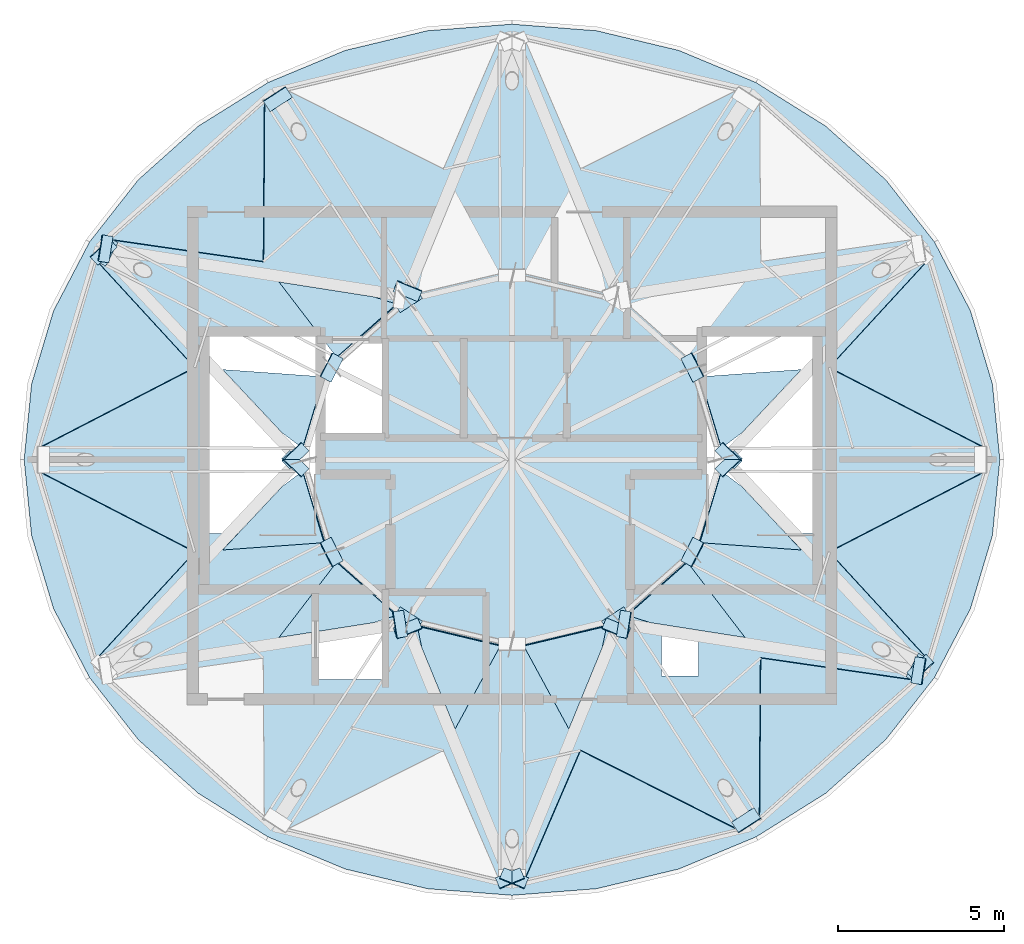
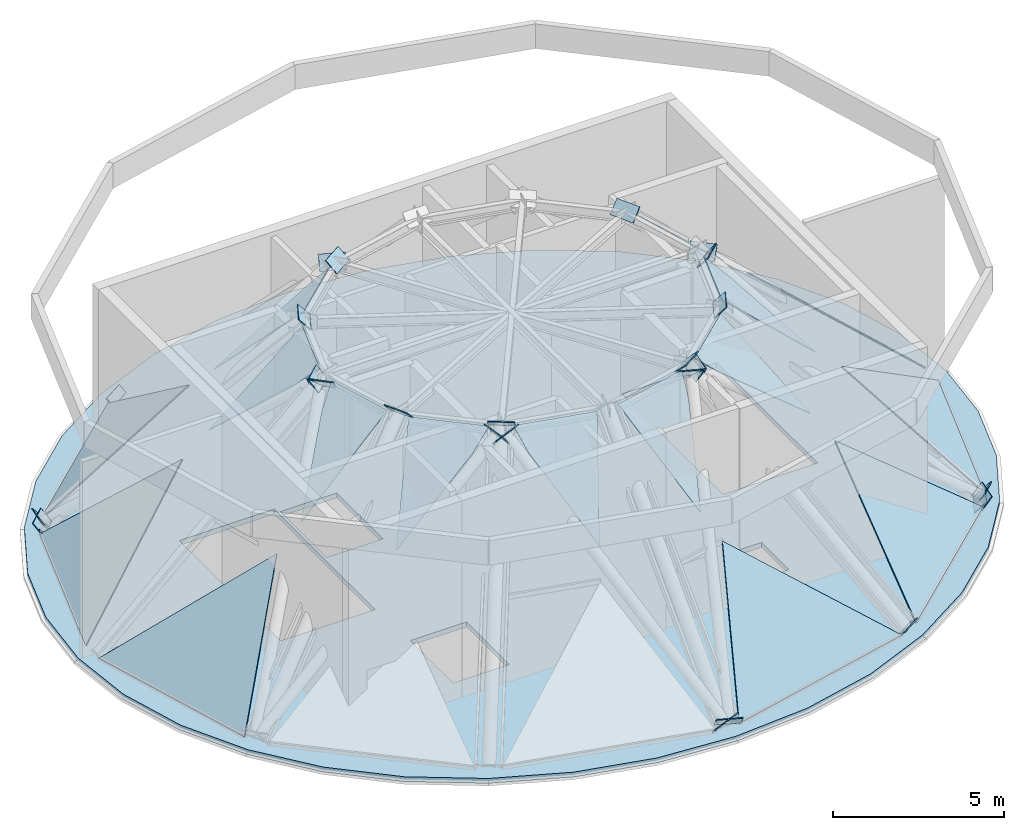
# One storey, part 3 of 6: 42 plates, 1 slab, 9 elements without a shape of their own.
"""IFC4 building model written with IfcOpenShell, lengths in metres."""

from ifc_helpers import new_model, si_unit, direction, frame, origin, place, context, subcontext, project, spatial, polyline, outline, extrude, material, layer, layer_set, type_object, element, aggregate, save


model = new_model("IFC4")

# Units and contexts
model_context = context("Model", 3, precision=1e-05, world=origin(), true_north=direction((0.0, 1.0)))
body_context = subcontext(model_context, "Body", "Model", "MODEL_VIEW")
ifc_project = project(units=[si_unit("LENGTHUNIT", "METRE"), si_unit("AREAUNIT", "SQUARE_METRE"), si_unit("VOLUMEUNIT", "CUBIC_METRE"), si_unit("PLANEANGLEUNIT", "RADIAN"), si_unit("MASSUNIT", "GRAM", prefix="KILO")], contexts=[model_context])

# Site, building, storey
site_placement = place(None, origin())
site = spatial("IfcSite", under=ifc_project, at=site_placement, CompositionType="ELEMENT")
building_placement = place(site_placement, origin())
building = spatial("IfcBuilding", under=site, at=building_placement, Name="Vantalir Tower", CompositionType="ELEMENT")
storey_placement = place(building_placement, frame((0.0, 0.0, 340.75)))
storey = spatial("IfcBuildingStorey", under=building, at=storey_placement, Name="L81", CompositionType="ELEMENT", Elevation=340.75)

# Curtain wall, plates
ifc_material_1 = material(Name="Champagne-silver PVDF aluminium and double-silver Low-E glass", Category="aluminium")
ifc_layer_1 = layer(ifc_material_1, 0.25)
ifc_layer_set_1 = layer_set([ifc_layer_1], Name="Champagne-silver PVDF aluminium and double-silver Low-E glass")
curtain_wall_type = type_object("IfcCurtainWallType", Name="CW-CROWN-PT", PredefinedType="USERDEFINED", material=ifc_layer_set_1)
curtain_wall_1_placement = place(storey_placement, origin())
curtain_wall_1 = element("IfcCurtainWall", 1, at=curtain_wall_1_placement, inside=storey, type_object=curtain_wall_type, Name="L81 Quilted Pyramid-Diamond Curtain Wall S01", ObjectType="UNITISED CURTAIN WALL", PredefinedType="USERDEFINED")
ifc_material_2 = material(Name="Faceted crown Low-E glass IGU", Category="glass")
ifc_layer_2 = layer(ifc_material_2, 0.033935546875)
ifc_layer_set_2 = layer_set([ifc_layer_2], Name="Faceted crown Low-E glass IGU")
plate_type_1 = type_object("IfcPlateType", Name="CWP-IGU-CRN-34", PredefinedType="CURTAIN_PANEL", material=ifc_layer_set_2)
plate_1_placement = place(storey_placement, frame((45.68798828125, 25.3779296875, 0.046875), z_axis=(0.66022043436, 0.198709911432, 0.724308876898), x_axis=(-0.288246325238, 0.957556292993, 4.1678185e-05)))
plate_1 = element("IfcPlate", 2, at=plate_1_placement, type_object=plate_type_1, Name="CW-L81-S01 Pyramid Diamond Facet 1L", PredefinedType="CURTAIN_PANEL", context=body_context, shape_type="SweptSolid", body=[
    extrude(outline(polyline([(0.0, 0.0), (5.85775572717994, -8.38901430960659e-17), (3.633520919419763, 5.183392998209705), (0.0, 0.0)])), origin(), (0.0, 0.0, -1.0), 0.033935546875),
])
plate_2_placement = place(storey_placement, frame((37.79833984375, 25.348876953125, 7.20166015625), z_axis=(0.655616417768, 0.197936331604, 0.728689454696), x_axis=(-0.288867480062, 0.95736908003, -0.000153510119)))
plate_2 = element("IfcPlate", 3, at=plate_2_placement, type_object=plate_type_1, Name="CW-L81-S01 Pyramid Diamond Facet 2U", PredefinedType="CURTAIN_PANEL", context=body_context, shape_type="SweptSolid", body=[
    extrude(outline(polyline([(0.0, 0.0), (2.239997308265857, 5.2692225582795515e-17), (1.5700351687010445, -4.090735625581345), (0.2603606838102943, -0.9804367437450046), (0.0, 0.0)])), origin(), (0.0, 0.0, -1.0), 0.033935546875),
])
aggregate(curtain_wall_1, [plate_1, plate_2])

curtain_wall_2_placement = place(storey_placement, origin())
curtain_wall_2 = element("IfcCurtainWall", 4, at=curtain_wall_2_placement, inside=storey, type_object=curtain_wall_type, Name="L81 Quilted Pyramid-Diamond Curtain Wall S05", ObjectType="UNITISED CURTAIN WALL", PredefinedType="USERDEFINED")
plate_3_placement = place(storey_placement, frame((24.053955078125, 35.7626953125, 0.047119140625), z_axis=(-0.47085544286, 0.528895832771, 0.706090893587), x_axis=(-0.746900141216, -0.664936221793, 0.0)))
plate_3 = element("IfcPlate", 5, at=plate_3_placement, type_object=plate_type_1, Name="CW-L81-S05 Pyramid Diamond Facet 1L", PredefinedType="CURTAIN_PANEL", context=body_context, shape_type="SweptSolid", body=[
    extrude(outline(polyline([(0.0, 0.0), (6.219390539027804, -4.440892098500626e-16), (3.2175398000593423, 5.046777884015427), (0.0, 0.0)])), origin(), (0.0, 0.0, -1.0), 0.033935546875),
])
plate_4_placement = place(storey_placement, frame((28.025634765625, 29.6796875, 7.201904296875), z_axis=(-0.466950015206, 0.526189196339, 0.710691644073), x_axis=(-0.748159180665, -0.663519214309, -0.000304349513)))
plate_4 = element("IfcPlate", 6, at=plate_4_placement, type_object=plate_type_1, Name="CW-L81-S05 Pyramid Diamond Facet 2U", PredefinedType="CURTAIN_PANEL", context=body_context, shape_type="SweptSolid", body=[
    extrude(outline(polyline([(0.0, 0.0), (2.405644291032028, -1.1600963245594897e-17), (2.201464604114774, -3.995506891330522), (0.36466761483729787, -0.862571783400998), (0.0, 0.0)])), origin(), (0.0, 0.0, -1.0), 0.033935546875),
])
aggregate(curtain_wall_2, [plate_3, plate_4])

curtain_wall_3_placement = place(storey_placement, origin())
curtain_wall_3 = element("IfcCurtainWall", 7, at=curtain_wall_3_placement, inside=storey, type_object=curtain_wall_type, Name="L81 Quilted Pyramid-Diamond Curtain Wall S06", ObjectType="UNITISED CURTAIN WALL", PredefinedType="USERDEFINED")
plate_5_placement = place(storey_placement, frame((19.00048828125, 30.987060546875, 0.047119140625), z_axis=(-0.66022043436, 0.198709911432, 0.724308876898), x_axis=(-0.288246325238, -0.957556292993, -4.1678185e-05)))
plate_5 = element("IfcPlate", 8, at=plate_5_placement, type_object=plate_type_1, Name="CW-L81-S06 Pyramid Diamond Facet 1L", PredefinedType="CURTAIN_PANEL", context=body_context, shape_type="SweptSolid", body=[
    extrude(outline(polyline([(0.0, 0.0), (5.85775572717994, 8.38901430960659e-17), (2.224234807760178, 5.183392998209705), (0.0, 0.0)])), origin(), (0.0, 0.0, -1.0), 0.033935546875),
])
plate_6_placement = place(storey_placement, frame((25.8486328125, 27.493408203125, 7.201416015625), z_axis=(-0.655616417768, 0.197936331604, 0.728689454696), x_axis=(-0.288867480062, -0.95736908003, 0.000153510119)))
plate_6 = element("IfcPlate", 9, at=plate_6_placement, type_object=plate_type_1, Name="CW-L81-S06 Pyramid Diamond Facet 2U", PredefinedType="CURTAIN_PANEL", context=body_context, shape_type="SweptSolid", body=[
    extrude(outline(polyline([(0.0, 0.0), (2.239997308265857, -5.2692225582795515e-17), (1.9796366244555628, -0.9804367437450046), (0.6699621395648127, -4.090735625581345), (0.0, 0.0)])), origin(), (0.0, 0.0, -1.0), 0.033935546875),
])
aggregate(curtain_wall_3, [plate_5, plate_6])

curtain_wall_4_placement = place(storey_placement, origin())
curtain_wall_4 = element("IfcCurtainWall", 10, at=curtain_wall_4_placement, inside=storey, type_object=curtain_wall_type, Name="L81 Quilted Pyramid-Diamond Curtain Wall S07", ObjectType="UNITISED CURTAIN WALL", PredefinedType="USERDEFINED")
plate_7_placement = place(storey_placement, frame((17.31201171875, 24.6220703125, 0.046875), z_axis=(-0.660220368177, -0.19867530127, 0.724318431431), x_axis=(0.288200317519, -0.957570141162, 4.1671532e-05)))
plate_7 = element("IfcPlate", 11, at=plate_7_placement, type_object=plate_type_1, Name="CW-L81-S07 Pyramid Diamond Facet 1L", PredefinedType="CURTAIN_PANEL", context=body_context, shape_type="SweptSolid", body=[
    extrude(outline(polyline([(0.0, 0.0), (5.858690847509657, -7.48099499014998e-18), (3.633574287905974, 5.183468490926561), (0.0, 0.0)])), origin(), (0.0, 0.0, -1.0), 0.033935546875),
])
plate_8_placement = place(storey_placement, frame((25.20166015625, 24.651123046875, 7.20166015625), z_axis=(-0.655628463907, -0.197844964391, 0.728703428961), x_axis=(0.288807848338, -0.957387079048, -8.723246e-05)))
plate_8 = element("IfcPlate", 12, at=plate_8_placement, type_object=plate_type_1, Name="CW-L81-S07 Pyramid Diamond Facet 2U", PredefinedType="CURTAIN_PANEL", context=body_context, shape_type="SweptSolid", body=[
    extrude(outline(polyline([(0.0, 0.0), (2.239997311447635, 1.3918445389282663e-16), (1.570268875499211, -4.090619794816039), (0.2604312043121651, -0.9802664167821116), (0.0, 0.0)])), origin(), (0.0, 0.0, -1.0), 0.033935546875),
])
aggregate(curtain_wall_4, [plate_7, plate_8])

# Curtain wall, plate
curtain_wall_5_placement = place(storey_placement, origin())
curtain_wall_5 = element("IfcCurtainWall", 13, at=curtain_wall_5_placement, inside=storey, type_object=curtain_wall_type, Name="L81 Quilted Pyramid-Diamond Curtain Wall S08", ObjectType="UNITISED CURTAIN WALL", PredefinedType="USERDEFINED")
plate_9_placement = place(storey_placement, frame((26.225830078125, 21.91650390625, 7.201171875), z_axis=(-0.466982152714, -0.526142663392, 0.71070497874), x_axis=(0.748133537272, -0.663548108655, 0.000343378171)))
plate_9 = element("IfcPlate", 14, at=plate_9_placement, type_object=plate_type_1, Name="CW-L81-S08 Pyramid Diamond Facet 2U", PredefinedType="CURTAIN_PANEL", context=body_context, shape_type="SweptSolid", body=[
    extrude(outline(polyline([(0.0, 0.0), (2.4056442874251664, 8.543513119185775e-17), (2.0411386712706854, -0.8627016325026036), (0.20434159769451982, -3.9958084903920446), (0.0, 0.0)])), origin(), (0.0, 0.0, -1.0), 0.033935546875),
])
aggregate(curtain_wall_5, [plate_9])

curtain_wall_6_placement = place(storey_placement, origin())
curtain_wall_6 = element("IfcCurtainWall", 15, at=curtain_wall_6_placement, inside=storey, type_object=curtain_wall_type, Name="L81 Quilted Pyramid-Diamond Curtain Wall S09", ObjectType="UNITISED CURTAIN WALL", PredefinedType="USERDEFINED")
plate_10_placement = place(storey_placement, frame((28.6533203125, 19.99365234375, 7.20166015625), z_axis=(-0.166434802453, -0.700157869869, 0.694318668764), x_axis=(0.97286447464, -0.231375669371, -0.000116645511)))
plate_10 = element("IfcPlate", 16, at=plate_10_placement, type_object=plate_type_1, Name="CW-L81-S09 Pyramid Diamond Facet 2U", PredefinedType="CURTAIN_PANEL", context=body_context, shape_type="SweptSolid", body=[
    extrude(outline(polyline([(0.0, 0.0), (2.5617140622571855, 5.575509672006707e-17), (1.8206224080764046, -3.946092889802648), (0.2843916088266361, -0.8661115817483311), (0.0, 0.0)])), origin(), (0.0, 0.0, -1.0), 0.033935546875),
])
aggregate(curtain_wall_6, [plate_10])

# Curtain wall, plates
curtain_wall_7_placement = place(storey_placement, origin())
curtain_wall_7 = element("IfcCurtainWall", 17, at=curtain_wall_7_placement, inside=storey, type_object=curtain_wall_type, Name="L81 Quilted Pyramid-Diamond Curtain Wall S10", ObjectType="UNITISED CURTAIN WALL", PredefinedType="USERDEFINED")
plate_11_placement = place(storey_placement, frame((31.884033203125, 12.360595703125, 0.047119140625), z_axis=(0.168123624686, -0.704736174202, 0.689261468235), x_axis=(0.972711921088, 0.232016200272, -3.7205933e-05)))
plate_11 = element("IfcPlate", 18, at=plate_11_placement, type_object=plate_type_1, Name="CW-L81-S10 Pyramid Diamond Facet 1L", PredefinedType="CURTAIN_PANEL", context=body_context, shape_type="SweptSolid", body=[
    extrude(outline(polyline([(0.0, 0.0), (6.56187341968544, -1.250356155418908e-16), (2.535583548293166, 4.932392149191616), (0.0, 0.0)])), origin(), (0.0, 0.0, -1.0), 0.033935546875),
])
plate_12_placement = place(storey_placement, frame((31.8544921875, 19.40087890625, 7.201416015625), z_axis=(0.166434802453, -0.700157869869, 0.694318668764), x_axis=(0.97286447464, 0.231375669371, 0.000116645511)))
plate_12 = element("IfcPlate", 19, at=plate_12_placement, type_object=plate_type_1, Name="CW-L81-S10 Pyramid Diamond Facet 2U", PredefinedType="CURTAIN_PANEL", context=body_context, shape_type="SweptSolid", body=[
    extrude(outline(polyline([(0.0, 0.0), (2.5617140622571855, -5.575509672006707e-17), (2.277322453430549, -0.8661115817483314), (0.7410916541807805, -3.9460928898026486), (0.0, 0.0)])), origin(), (0.0, 0.0, -1.0), 0.033935546875),
])
aggregate(curtain_wall_7, [plate_11, plate_12])

curtain_wall_8_placement = place(storey_placement, origin())
curtain_wall_8 = element("IfcCurtainWall", 20, at=curtain_wall_8_placement, inside=storey, type_object=curtain_wall_type, Name="L81 Quilted Pyramid-Diamond Curtain Wall S11", ObjectType="UNITISED CURTAIN WALL", PredefinedType="USERDEFINED")
plate_13_placement = place(storey_placement, frame((38.946044921875, 14.2373046875, 0.047119140625), z_axis=(0.470780561912, -0.528936625421, 0.706110266753), x_axis=(0.746978126288, 0.66484861348, 0.0)))
plate_13 = element("IfcPlate", 21, at=plate_13_placement, type_object=plate_type_1, Name="CW-L81-S11 Pyramid Diamond Facet 1L", PredefinedType="CURTAIN_PANEL", context=body_context, shape_type="SweptSolid", body=[
    extrude(outline(polyline([(0.0, 0.0), (6.218741230023971, 0.0), (3.2169595011979712, 5.0469155681595135), (0.0, 0.0)])), origin(), (0.0, 0.0, -1.0), 0.033935546875),
])
plate_14_placement = place(storey_placement, frame((34.974365234375, 20.3203125, 7.201904296875), z_axis=(0.466982152714, -0.526142663392, 0.71070497874), x_axis=(0.748133537272, 0.663548108655, -0.000343378171)))
plate_14 = element("IfcPlate", 22, at=plate_14_placement, type_object=plate_type_1, Name="CW-L81-S11 Pyramid Diamond Facet 2U", PredefinedType="CURTAIN_PANEL", context=body_context, shape_type="SweptSolid", body=[
    extrude(outline(polyline([(0.0, 0.0), (2.4056442874251664, -8.543513119185775e-17), (2.2013026897306465, -3.995808490392045), (0.3645056161544811, -0.8627016325026036), (0.0, 0.0)])), origin(), (0.0, 0.0, -1.0), 0.033935546875),
])
aggregate(curtain_wall_8, [plate_13, plate_14])

curtain_wall_9_placement = place(storey_placement, origin())
curtain_wall_9 = element("IfcCurtainWall", 23, at=curtain_wall_9_placement, inside=storey, type_object=curtain_wall_type, Name="L81 Quilted Pyramid-Diamond Curtain Wall S12", ObjectType="UNITISED CURTAIN WALL", PredefinedType="USERDEFINED")
plate_15_placement = place(storey_placement, frame((43.99951171875, 19.011962890625, 0.047119140625), z_axis=(0.660220368177, -0.19867530127, 0.724318431431), x_axis=(0.288200317519, 0.957570141162, -4.1671532e-05)))
plate_15 = element("IfcPlate", 24, at=plate_15_placement, type_object=plate_type_1, Name="CW-L81-S12 Pyramid Diamond Facet 1L", PredefinedType="CURTAIN_PANEL", context=body_context, shape_type="SweptSolid", body=[
    extrude(outline(polyline([(0.0, 0.0), (5.858690847509657, 7.48099499014998e-18), (2.2251165596036833, 5.183468490926561), (0.0, 0.0)])), origin(), (0.0, 0.0, -1.0), 0.033935546875),
])
plate_16_placement = place(storey_placement, frame((37.1513671875, 22.506591796875, 7.201416015625), z_axis=(0.655628463907, -0.197844964391, 0.728703428961), x_axis=(0.288807848338, 0.957387079048, 8.723246e-05)))
plate_16 = element("IfcPlate", 25, at=plate_16_placement, type_object=plate_type_1, Name="CW-L81-S12 Pyramid Diamond Facet 2U", PredefinedType="CURTAIN_PANEL", context=body_context, shape_type="SweptSolid", body=[
    extrude(outline(polyline([(0.0, 0.0), (2.239997311447635, -1.3918445389282663e-16), (1.9795661071354702, -0.9802664167821116), (0.6697284359484243, -4.090619794816038), (0.0, 0.0)])), origin(), (0.0, 0.0, -1.0), 0.033935546875),
])
aggregate(curtain_wall_9, [plate_15, plate_16])

# Plates
ifc_material_3 = material(Name="Steel S460", Category="steel")
ifc_layer_3 = layer(ifc_material_3, 0.031982421875)
ifc_layer_set_3 = layer_set([ifc_layer_3], Name="Steel S460")
plate_type_2 = type_object("IfcPlateType", Name="PLT-KN-Z3", PredefinedType="USERDEFINED", material=ifc_layer_set_3)
plate_17_placement = place(storey_placement, frame((36.572265625, 28.040771484375, 7.077880859375), z_axis=(-0.645029933265, -0.331979538332, 0.688277539458), x_axis=(0.457706931752, -0.889103117808, 0.000102617126)))
element("IfcPlate", 26, at=plate_17_placement, inside=storey, type_object=plate_type_2, Name="L81 Ring Column Top Cap RC02", ObjectType="FLANGE_PLATE", PredefinedType="USERDEFINED", context=body_context, shape_type="SweptSolid", body=[
    extrude(outline(polyline([(0.0, 0.0), (0.7999310985846402, 2.7755575615628914e-17), (0.8001390054694756, 0.519838000849276), (0.00010258555034879278, 0.5200643219506822), (0.0, 0.0)])), origin(), (0.0, 0.0, -1.0), 0.031982421875),
])
plate_18_placement = place(storey_placement, frame((28.138671875, 29.419677734375, 7.08349609375), z_axis=(0.383502287784, -0.59226448206, 0.708624568128), x_axis=(0.839371437053, 0.543558266371, 4.1472866e-05)))
element("IfcPlate", 27, at=plate_18_placement, inside=storey, type_object=plate_type_2, Name="L81 Ring Column Top Cap RC05", ObjectType="FLANGE_PLATE", PredefinedType="USERDEFINED", context=body_context, shape_type="SweptSolid", body=[
    extrude(outline(polyline([(0.0, 0.0), (0.7998898252688998, 0.0), (0.8000036140448915, 0.5200079399430033), (-9.113589125758487e-05, 0.5201019837185563), (0.0, 0.0)])), origin(), (0.0, 0.0, -1.0), 0.031982421875),
])
plate_19_placement = place(storey_placement, frame((24.227783203125, 35.45947265625, -0.145751953125), z_axis=(0.383374096886, -0.592066509537, 0.708859330278), x_axis=(0.839371422049, 0.54355828954, 4.1472738e-05)))
element("IfcPlate", 28, at=plate_19_placement, inside=storey, type_object=plate_type_2, Name="L81 Ring Column Base Cap RC05", ObjectType="FLANGE_PLATE", PredefinedType="USERDEFINED", context=body_context, shape_type="SweptSolid", body=[
    extrude(outline(polyline([(0.0, 0.0), (0.7998898252698156, -5.551115123125783e-17), (0.8000036140439756, 0.5198356910098434), (-9.11358894261191e-05, 0.519929765941413), (0.0, 0.0)])), origin(), (0.0, 0.0, -1.0), 0.031982421875),
])
plate_20_placement = place(storey_placement, frame((26.0615234375, 27.32958984375, 7.077880859375), z_axis=(0.645029933265, -0.331979538332, 0.688277539458), x_axis=(0.457706931752, 0.889103117808, -0.000102617126)))
element("IfcPlate", 29, at=plate_20_placement, inside=storey, type_object=plate_type_2, Name="L81 Ring Column Top Cap RC06", ObjectType="FLANGE_PLATE", PredefinedType="USERDEFINED", context=body_context, shape_type="SweptSolid", body=[
    extrude(outline(polyline([(0.0, 0.0), (0.7999310985846402, -2.7755575615628914e-17), (0.7998285130342914, 0.5200643219506821), (-0.00020790688483530615, 0.519838000849276), (0.0, 0.0)])), origin(), (0.0, 0.0, -1.0), 0.031982421875),
])
plate_21_placement = place(storey_placement, frame((19.287353515625, 30.81591796875, -0.152099609375), z_axis=(0.644959051684, -0.332000033642, 0.688334075368), x_axis=(0.457625297504, 0.88914514141, 6.775628e-05)))
element("IfcPlate", 30, at=plate_21_placement, inside=storey, type_object=plate_type_2, Name="L81 Ring Column Base Cap RC06", ObjectType="FLANGE_PLATE", PredefinedType="USERDEFINED", context=body_context, shape_type="SweptSolid", body=[
    extrude(outline(polyline([(0.0, 0.0), (0.7998193647184004, -2.7755575615628914e-17), (0.7999256417425233, 0.5199149131458727), (-5.447902025467243e-06, 0.5200643397557038), (0.0, 0.0)])), origin(), (0.0, 0.0, -1.0), 0.031982421875),
])
plate_22_placement = place(storey_placement, frame((26.427734375, 21.959228515625, 7.077880859375), z_axis=(0.644821358728, 0.332039834566, 0.688443871052), x_axis=(-0.457803095889, 0.889053612216, 0.0)))
element("IfcPlate", 31, at=plate_22_placement, inside=storey, type_object=plate_type_2, Name="L81 Ring Column Top Cap RC08", ObjectType="FLANGE_PLATE", PredefinedType="USERDEFINED", context=body_context, shape_type="SweptSolid", body=[
    extrude(outline(polyline([(0.0, 0.0), (0.7999311074753224, 0.0), (0.800033710805895, 0.5200643356222773), (0.00010260333057274251, 0.5200643356222773), (0.0, 0.0)])), origin(), (0.0, 0.0, -1.0), 0.031982421875),
])
plate_23_placement = place(storey_placement, frame((28.81005859375, 20.1455078125, 7.08349609375), z_axis=(0.383502287784, 0.59226448206, 0.708624568128), x_axis=(-0.839371437053, 0.543558266371, -4.1472866e-05)))
element("IfcPlate", 32, at=plate_23_placement, inside=storey, type_object=plate_type_2, Name="L81 Ring Column Top Cap RC09", ObjectType="FLANGE_PLATE", PredefinedType="USERDEFINED", context=body_context, shape_type="SweptSolid", body=[
    extrude(outline(polyline([(0.0, 0.0), (0.7998898252688998, 0.0), (0.7999809611601574, 0.5201019837185563), (-0.00011378877599158294, 0.5200079399430033), (0.0, 0.0)])), origin(), (0.0, 0.0, -1.0), 0.031982421875),
])
plate_24_placement = place(storey_placement, frame((34.861328125, 20.580322265625, 7.08349609375), z_axis=(-0.383502287784, 0.59226448206, 0.708624568128), x_axis=(-0.839371437053, -0.543558266371, 4.1472866e-05)))
element("IfcPlate", 33, at=plate_24_placement, inside=storey, type_object=plate_type_2, Name="L81 Ring Column Top Cap RC11", ObjectType="FLANGE_PLATE", PredefinedType="USERDEFINED", context=body_context, shape_type="SweptSolid", body=[
    extrude(outline(polyline([(0.0, 0.0), (0.7998898252688998, 0.0), (0.8000036140448915, 0.5200079399430033), (-9.113589125758487e-05, 0.5201019837185563), (0.0, 0.0)])), origin(), (0.0, 0.0, -1.0), 0.031982421875),
])
plate_25_placement = place(storey_placement, frame((38.772216796875, 14.54052734375, -0.145751953125), z_axis=(-0.383374096886, 0.592066509537, 0.708859330278), x_axis=(-0.839371422049, -0.54355828954, 4.1472738e-05)))
element("IfcPlate", 34, at=plate_25_placement, inside=storey, type_object=plate_type_2, Name="L81 Ring Column Base Cap RC11", ObjectType="FLANGE_PLATE", PredefinedType="USERDEFINED", context=body_context, shape_type="SweptSolid", body=[
    extrude(outline(polyline([(0.0, 0.0), (0.7998898252698156, -5.551115123125783e-17), (0.8000036140439756, 0.5198356910098434), (-9.11358894261191e-05, 0.519929765941413), (0.0, 0.0)])), origin(), (0.0, 0.0, -1.0), 0.031982421875),
])
plate_26_placement = place(storey_placement, frame((36.9384765625, 22.67041015625, 7.077880859375), z_axis=(-0.644821358728, 0.332039834566, 0.688443871052), x_axis=(-0.457803095889, -0.889053612216, 0.0)))
element("IfcPlate", 35, at=plate_26_placement, inside=storey, type_object=plate_type_2, Name="L81 Ring Column Top Cap RC12", ObjectType="FLANGE_PLATE", PredefinedType="USERDEFINED", context=body_context, shape_type="SweptSolid", body=[
    extrude(outline(polyline([(0.0, 0.0), (0.7999311074753224, 0.0), (0.7998285041447495, 0.5200643356222772), (-0.00010260333057274251, 0.5200643356222773), (0.0, 0.0)])), origin(), (0.0, 0.0, -1.0), 0.031982421875),
])
plate_27_placement = place(storey_placement, frame((43.712890625, 19.18310546875, -0.152099609375), z_axis=(-0.645006658289, 0.332135251436, 0.688224226191), x_axis=(-0.457803095889, -0.889053612216, 0.0)))
element("IfcPlate", 36, at=plate_27_placement, inside=storey, type_object=plate_type_2, Name="L81 Ring Column Base Cap RC12", ObjectType="FLANGE_PLATE", PredefinedType="USERDEFINED", context=body_context, shape_type="SweptSolid", body=[
    extrude(outline(polyline([(0.0, 0.0), (0.7999311074753224, 2.7755575615628914e-17), (0.7999402724787067, 0.5199149298883015), (9.165003384479208e-06, 0.5199149298883013), (0.0, 0.0)])), origin(), (0.0, 0.0, -1.0), 0.031982421875),
])
plate_28_placement = place(storey_placement, frame((37.6005859375, 25.265625, 6.8447265625), z_axis=(-0.532018764521, -0.56566984005, 0.630058462569), x_axis=(0.728441843907, -0.685107641211, 0.0)))
element("IfcPlate", 37, at=plate_28_placement, inside=storey, type_object=plate_type_2, Name="Node Cap Plate MEM-DG-L81-R04R End", ObjectType="FLANGE_PLATE", PredefinedType="USERDEFINED", context=body_context, shape_type="SweptSolid", body=[
    extrude(outline(polyline([(0.0, 0.0), (0.80001399802836, 0.0), (0.8002132975720768, 0.5200048788009051), (0.00019929954371684908, 0.5200048788009051), (0.0, 0.0)])), origin(), (0.0, 0.0, -1.0), 0.031982421875),
])
plate_29_placement = place(storey_placement, frame((27.92333984375, 30.0546875, 6.8447265625), z_axis=(-0.29019939795, -0.708843877796, 0.642903310258), x_axis=(0.925460330879, -0.378844525209, 4.1076965e-05)))
element("IfcPlate", 38, at=plate_29_placement, inside=storey, type_object=plate_type_2, Name="Node Cap Plate MEM-DG-L81-R10L End", ObjectType="FLANGE_PLATE", PredefinedType="USERDEFINED", context=body_context, shape_type="SweptSolid", body=[
    extrude(outline(polyline([(0.0, 0.0), (0.7998393015164632, 2.7755575615628914e-17), (0.8001592224695356, 0.5201462419352044), (1.487150316389125e-06, 0.5202320481238202), (0.0, 0.0)])), origin(), (0.0, 0.0, -1.0), 0.031982421875),
])
plate_30_placement = place(storey_placement, frame((19.05419921875, 30.84375, 0.021728515625), z_axis=(0.532131812794, -0.565671523935, 0.629961475664), x_axis=(0.728398639626, 0.685153573424, -5.1150006e-05)))
element("IfcPlate", 39, at=plate_30_placement, inside=storey, type_object=plate_type_2, Name="Node Cap Plate MEM-DG-L81-R16L Start", ObjectType="FLANGE_PLATE", PredefinedType="USERDEFINED", context=body_context, shape_type="SweptSolid", body=[
    extrude(outline(polyline([(0.0, 0.0), (0.8000139953912334, 0.0), (0.7998147011211127, 0.5200048747457753), (-2.14625709932536e-05, 0.5198995057462468), (0.0, 0.0)])), origin(), (0.0, 0.0, -1.0), 0.031982421875),
])
plate_31_placement = place(storey_placement, frame((24.816650390625, 24.717529296875, 6.8447265625), z_axis=(0.532018764521, -0.56566984005, 0.630058462569), x_axis=(0.728441843907, 0.685107641211, 0.0)))
element("IfcPlate", 40, at=plate_31_placement, inside=storey, type_object=plate_type_2, Name="Node Cap Plate MEM-DG-L81-R16L End", ObjectType="FLANGE_PLATE", PredefinedType="USERDEFINED", context=body_context, shape_type="SweptSolid", body=[
    extrude(outline(polyline([(0.0, 0.0), (0.80001399802836, 0.0), (0.799814698484643, 0.5200048788009051), (-0.00019929954371684908, 0.5200048788009051), (0.0, 0.0)])), origin(), (0.0, 0.0, -1.0), 0.031982421875),
])
plate_32_placement = place(storey_placement, frame((19.384521484375, 30.918212890625, 0.011474609375), z_axis=(0.785735939388, -0.123814407257, 0.606043749336), x_axis=(0.155648326908, 0.987812531911, 1.1449276e-05)))
element("IfcPlate", 41, at=plate_32_placement, inside=storey, type_object=plate_type_2, Name="Node Cap Plate MEM-DG-L81-R16R Start", ObjectType="FLANGE_PLATE", PredefinedType="USERDEFINED", context=body_context, shape_type="SweptSolid", body=[
    extrude(outline(polyline([(0.0, 0.0), (0.800031692509212, -1.3877787807814457e-17), (0.7998193596594443, 0.5199255480883864), (2.883231915578146e-05, 0.5199485756029152), (0.0, 0.0)])), origin(), (0.0, 0.0, -1.0), 0.031982421875),
])
plate_33_placement = place(storey_placement, frame((28.364013671875, 19.68603515625, 6.844482421875), z_axis=(0.785500612726, 0.123758205898, 0.606360201431), x_axis=(-0.15563348289, 0.987814870815, 0.0)))
element("IfcPlate", 42, at=plate_33_placement, inside=storey, type_object=plate_type_2, Name="Node Cap Plate MEM-DG-L81-R22L End", ObjectType="FLANGE_PLATE", PredefinedType="USERDEFINED", context=body_context, shape_type="SweptSolid", body=[
    extrude(outline(polyline([(0.0, 0.0), (0.8000316926519782, 0.0), (0.8000408565030789, 0.5200947737634783), (9.163851100790082e-06, 0.5200947737634783), (0.0, 0.0)])), origin(), (0.0, 0.0, -1.0), 0.031982421875),
])
plate_34_placement = place(storey_placement, frame((25.3994140625, 24.734375, 6.8447265625), z_axis=(0.532018764521, 0.56566984005, 0.630058462569), x_axis=(-0.728441843907, 0.685107641211, 0.0)))
element("IfcPlate", 43, at=plate_34_placement, inside=storey, type_object=plate_type_2, Name="Node Cap Plate MEM-DG-L81-R22R End", ObjectType="FLANGE_PLATE", PredefinedType="USERDEFINED", context=body_context, shape_type="SweptSolid", body=[
    extrude(outline(polyline([(0.0, 0.0), (0.80001399802836, 0.0), (0.8002132975720768, 0.5200048788009051), (0.00019929954371684908, 0.5200048788009051), (0.0, 0.0)])), origin(), (0.0, 0.0, -1.0), 0.031982421875),
])
plate_35_placement = place(storey_placement, frame((31.999755859375, 12.431640625, 0.027587890625), z_axis=(0.290242096863, 0.708779613355, 0.642954885587), x_axis=(-0.925415673901, 0.378953599401, 0.0)))
element("IfcPlate", 44, at=plate_35_placement, inside=storey, type_object=plate_type_2, Name="Node Cap Plate MEM-DG-L81-R28L Start", ObjectType="FLANGE_PLATE", PredefinedType="USERDEFINED", context=body_context, shape_type="SweptSolid", body=[
    extrude(outline(polyline([(0.0, 0.0), (0.8001577415519449, 0.0), (0.8001959554954987, 0.5198997954589216), (3.821394355375818e-05, 0.5198997954589216), (0.0, 0.0)])), origin(), (0.0, 0.0, -1.0), 0.031982421875),
])
plate_36_placement = place(storey_placement, frame((35.07666015625, 19.9453125, 6.8447265625), z_axis=(0.29019939795, 0.708843877796, 0.642903310258), x_axis=(-0.925460330879, 0.378844525209, 4.1076965e-05)))
element("IfcPlate", 45, at=plate_36_placement, inside=storey, type_object=plate_type_2, Name="Node Cap Plate MEM-DG-L81-R28L End", ObjectType="FLANGE_PLATE", PredefinedType="USERDEFINED", context=body_context, shape_type="SweptSolid", body=[
    extrude(outline(polyline([(0.0, 0.0), (0.7998393015164632, 2.7755575615628914e-17), (0.8001592224695356, 0.5201462419352044), (1.487150316389125e-06, 0.5202320481238202), (0.0, 0.0)])), origin(), (0.0, 0.0, -1.0), 0.031982421875),
])
plate_37_placement = place(storey_placement, frame((31.74072265625, 12.73486328125, 0.027587890625), z_axis=(-0.290242096863, 0.708779613355, 0.642954885587), x_axis=(-0.925415673901, -0.378953599401, 0.0)))
element("IfcPlate", 46, at=plate_37_placement, inside=storey, type_object=plate_type_2, Name="Node Cap Plate MEM-DG-L81-R28R Start", ObjectType="FLANGE_PLATE", PredefinedType="USERDEFINED", context=body_context, shape_type="SweptSolid", body=[
    extrude(outline(polyline([(0.0, 0.0), (0.8001577415519449, 0.0), (0.8001195276083912, 0.5198997954589216), (-3.821394355375818e-05, 0.5198997954589216), (0.0, 0.0)])), origin(), (0.0, 0.0, -1.0), 0.031982421875),
])
plate_38_placement = place(storey_placement, frame((28.66357421875, 20.248291015625, 6.8447265625), z_axis=(-0.29019939795, 0.708843877796, 0.642903310258), x_axis=(-0.925460330879, -0.378844525209, -4.1076965e-05)))
element("IfcPlate", 47, at=plate_38_placement, inside=storey, type_object=plate_type_2, Name="Node Cap Plate MEM-DG-L81-R28R End", ObjectType="FLANGE_PLATE", PredefinedType="USERDEFINED", context=body_context, shape_type="SweptSolid", body=[
    extrude(outline(polyline([(0.0, 0.0), (0.7998393015164632, -2.7755575615628914e-17), (0.7998378143661468, 0.5202320481238202), (-0.00031992095307245203, 0.5201462419352044), (0.0, 0.0)])), origin(), (0.0, 0.0, -1.0), 0.031982421875),
])
plate_39_placement = place(storey_placement, frame((43.94580078125, 19.1552734375, 0.021728515625), z_axis=(-0.53212658975, 0.565784485404, 0.629864436651), x_axis=(-0.728441843907, -0.685107641211, 0.0)))
element("IfcPlate", 48, at=plate_39_placement, inside=storey, type_object=plate_type_2, Name="Node Cap Plate MEM-DG-L81-R34L Start", ObjectType="FLANGE_PLATE", PredefinedType="USERDEFINED", context=body_context, shape_type="SweptSolid", body=[
    extrude(outline(polyline([(0.0, 0.0), (0.80001399802836, -5.551115123125783e-17), (0.7999925407316906, 0.5198995098044376), (-2.145729666928862e-05, 0.5198995098044377), (0.0, 0.0)])), origin(), (0.0, 0.0, -1.0), 0.031982421875),
])
plate_40_placement = place(storey_placement, frame((38.183349609375, 25.282470703125, 6.8447265625), z_axis=(-0.532018764521, 0.56566984005, 0.630058462569), x_axis=(-0.728441843907, -0.685107641211, 0.0)))
element("IfcPlate", 49, at=plate_40_placement, inside=storey, type_object=plate_type_2, Name="Node Cap Plate MEM-DG-L81-R34L End", ObjectType="FLANGE_PLATE", PredefinedType="USERDEFINED", context=body_context, shape_type="SweptSolid", body=[
    extrude(outline(polyline([(0.0, 0.0), (0.80001399802836, 0.0), (0.799814698484643, 0.5200048788009051), (-0.00019929954371684908, 0.5200048788009051), (0.0, 0.0)])), origin(), (0.0, 0.0, -1.0), 0.031982421875),
])
plate_41_placement = place(storey_placement, frame((43.615478515625, 19.080810546875, 0.011474609375), z_axis=(-0.785721477976, 0.123793003944, 0.606066870255), x_axis=(-0.15563348289, -0.987814870815, 0.0)))
element("IfcPlate", 50, at=plate_41_placement, inside=storey, type_object=plate_type_2, Name="Node Cap Plate MEM-DG-L81-R34R Start", ObjectType="FLANGE_PLATE", PredefinedType="USERDEFINED", context=body_context, shape_type="SweptSolid", body=[
    extrude(outline(polyline([(0.0, 0.0), (0.8000316926519782, 1.3877787807814457e-17), (0.800060525256661, 0.5199485758225699), (2.8832604682959413e-05, 0.5199485758225699), (0.0, 0.0)])), origin(), (0.0, 0.0, -1.0), 0.031982421875),
])
plate_42_placement = place(storey_placement, frame((34.760498046875, 20.476318359375, 6.844482421875), z_axis=(-0.785500612726, 0.123758205898, 0.606360201431), x_axis=(-0.15563348289, -0.987814870815, 0.0)))
element("IfcPlate", 51, at=plate_42_placement, inside=storey, type_object=plate_type_2, Name="Node Cap Plate MEM-DG-L81-R34R End", ObjectType="FLANGE_PLATE", PredefinedType="USERDEFINED", context=body_context, shape_type="SweptSolid", body=[
    extrude(outline(polyline([(0.0, 0.0), (0.8000316926519782, 0.0), (0.8000225288008773, 0.5200947737634782), (-9.163851100790082e-06, 0.5200947737634783), (0.0, 0.0)])), origin(), (0.0, 0.0, -1.0), 0.031982421875),
])

# Slab
ifc_material_4 = material(Name="Concrete C40/50", Category="concrete")
ifc_layer_4 = layer(ifc_material_4, 0.179931640625)
ifc_layer_set_4 = layer_set([ifc_layer_4], Name="Concrete C40/50")
slab_type = type_object("IfcSlabType", Name="SL-TWR-180", PredefinedType="FLOOR", material=ifc_layer_set_4)
slab_placement = place(storey_placement, frame((0.0, 0.0, -0.179931640625)))
element("IfcSlab", 52, at=slab_placement, inside=storey, type_object=slab_type, Name="L81 Primary Structural Slab", PredefinedType="FLOOR", context=body_context, shape_type="SweptSolid", body=[
    extrude(outline(polyline([(42.73291015625, 16.583984375), (44.198974609375, 18.452880859375), (45.280029296875, 20.52197265625), (45.94091796875, 22.72607421875), (46.1640625, 25.0), (45.94091796875, 27.27392578125), (45.280029296875, 29.47802734375), (44.198974609375, 31.5458984375), (42.73291015625, 33.416015625), (40.926025390625, 35.030029296875), (38.83203125, 36.339111328125), (36.514892578125, 37.302978515625), (34.0458984375, 37.89404296875), (31.5, 38.093017578125), (28.9541015625, 37.89404296875), (26.485107421875, 37.302978515625), (24.16796875, 36.339111328125), (22.073974609375, 35.030029296875), (20.26708984375, 33.416015625), (18.801025390625, 31.5458984375), (17.719970703125, 29.47802734375), (17.05908203125, 27.27392578125), (16.8359375, 25.0), (17.05908203125, 22.72607421875), (17.719970703125, 20.52197265625), (18.801025390625, 18.452880859375), (20.26708984375, 16.583984375), (22.073974609375, 14.969970703125), (24.16796875, 13.660888671875), (26.485107421875, 12.697021484375), (28.9541015625, 12.10595703125), (31.5, 11.906982421875), (34.0458984375, 12.10595703125), (36.514892578125, 12.697021484375), (38.83203125, 13.660888671875), (40.926025390625, 14.969970703125), (42.73291015625, 16.583984375)]), holes=[polyline([(25.60009765625, 22.7900390625), (22.39990234375, 22.7900390625), (22.39990234375, 28.699951171875), (25.60009765625, 28.699951171875), (25.60009765625, 22.7900390625)]), polyline([(37.35009765625, 22.7900390625), (37.35009765625, 28.699951171875), (40.550048828125, 28.699951171875), (40.550048828125, 22.7900390625), (37.35009765625, 22.7900390625)]), polyline([(25.699951171875, 20.89990234375), (27.60009765625, 20.89990234375), (27.60009765625, 18.39990234375), (25.699951171875, 18.39990234375), (25.699951171875, 20.89990234375)]), polyline([(27.60009765625, 28.5), (27.60009765625, 25.800048828125), (25.699951171875, 25.800048828125), (25.699951171875, 28.5), (27.60009765625, 28.5)]), polyline([(37.10009765625, 18.5), (36.0, 18.5), (36.0, 20.10009765625), (37.10009765625, 20.10009765625), (37.10009765625, 18.5)])]), origin(), (0.0, 0.0, 1.0), 0.179931640625),
])

save(model, "model.ifc")
